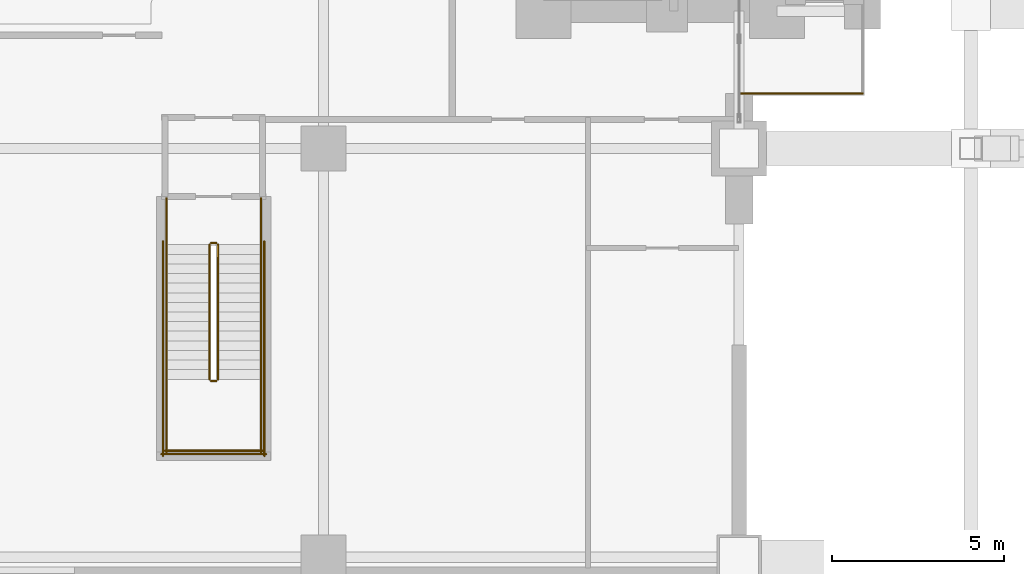
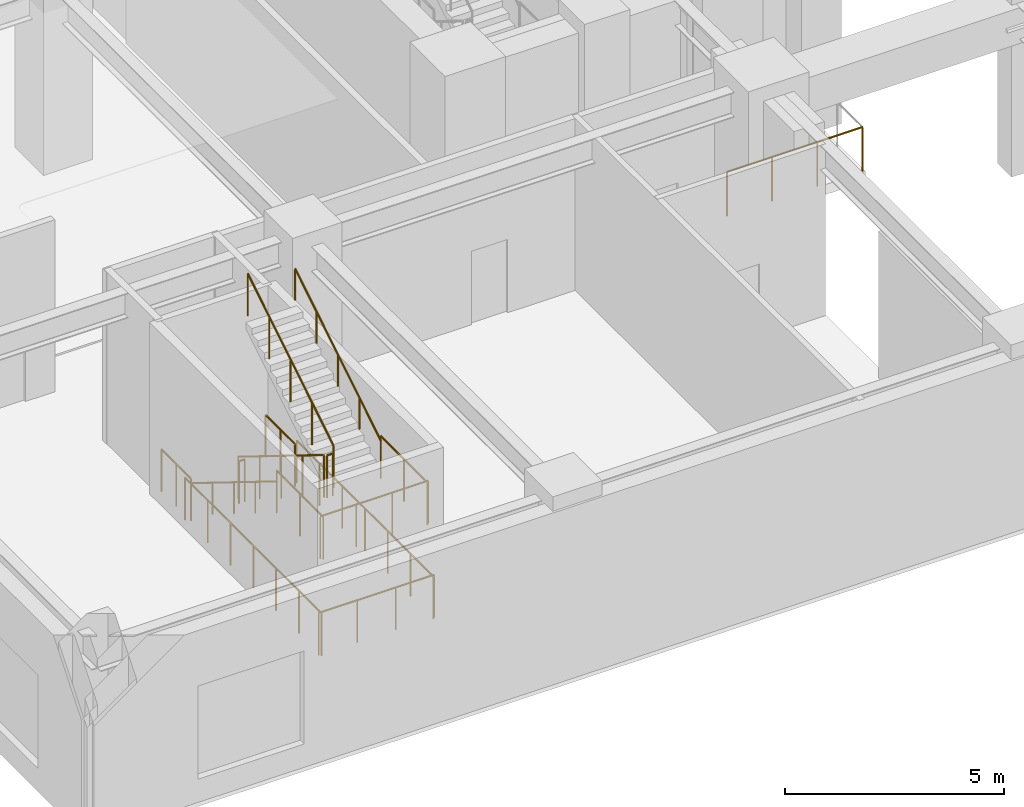
# One storey, part 22 of 26: 15 railings.
"""IFC4 building model written with IfcOpenShell, lengths in metres."""

import ifcopenshell
import ifcopenshell.guid

model = None  # the IFC model being written
_history = None  # IfcOwnerHistory: only IFC2X3 demands one
_inside = {}  # id of a spatial element -> (the spatial element, [elements in it])
_under = {}  # id of a project, library or spatial element -> (it, [spatial elements below it])
_declared = {}  # id of a project -> (the project, [libraries it declares])
_typed = {}  # id of a type object -> (the type object, [elements of that type])
_made_of = {}  # id of a material, layer set ... -> (it, [elements and type objects made of it])


def new_model(schema):
    """Start an empty IFC model of exactly this schema.

    Asked for "IFC4X3", IfcOpenShell would pick the latest addendum, in which some entities
    have other attributes; the version numbers below select the first issue.
    IFC2X3 requires an IfcOwnerHistory on every rooted entity: one is made here for all.
    """
    global model, _history
    if schema == "IFC4X3":
        model = ifcopenshell.file(schema_version=(4, 3, 0, 0))
    else:
        model = ifcopenshell.file(schema=schema)
    _inside.clear()
    _under.clear()
    _declared.clear()
    _typed.clear()
    _made_of.clear()
    _history = None
    if model.schema == "IFC2X3":
        org = make("IfcOrganization", Name="unknown")
        user = make(
            "IfcPersonAndOrganization",
            ThePerson=make("IfcPerson", FamilyName="unknown"),
            TheOrganization=org,
        )
        app = make(
            "IfcApplication",
            ApplicationDeveloper=org,
            Version="unknown",
            ApplicationFullName="unknown",
            ApplicationIdentifier="unknown",
        )
        _history = make(
            "IfcOwnerHistory",
            OwningUser=user,
            OwningApplication=app,
            ChangeAction="ADDED",
            CreationDate=0,
        )
    return model


def make(cls, **values):
    """One entity of the class cls with the attributes given. An attribute that is None is left unset."""
    return model.create_entity(
        cls, **{name: value for name, value in values.items() if value is not None}
    )


def rooted(cls, **values):
    """An entity with a GlobalId (a new one), such as an element, a storey or a relation."""
    return make(cls, GlobalId=ifcopenshell.guid.new(), OwnerHistory=_history, **values)


def si_unit(unit_type, name, prefix=None):
    """IfcSIUnit, for example si_unit("LENGTHUNIT", "METRE", prefix="MILLI")."""
    return make("IfcSIUnit", UnitType=unit_type, Prefix=prefix, Name=name)


def assignment(units):
    """IfcUnitAssignment: the units of a project."""
    return None if units is None else make("IfcUnitAssignment", Units=units)


def point(xyz):
    """IfcCartesianPoint."""
    return None if xyz is None else make("IfcCartesianPoint", Coordinates=xyz)


def direction(xyz):
    """IfcDirection."""
    return None if xyz is None else make("IfcDirection", DirectionRatios=xyz)


def frame(location, z_axis=None, x_axis=None):
    """IfcAxis2Placement3D, a coordinate frame: its origin and axes. An axis left out is left unset."""
    return make(
        "IfcAxis2Placement3D",
        Location=point(location),
        Axis=direction(z_axis),
        RefDirection=direction(x_axis),
    )


def frame_2d(location, x_axis=None):
    """IfcAxis2Placement2D, a coordinate frame in the plane: its origin and x axis."""
    return make(
        "IfcAxis2Placement2D", Location=point(location), RefDirection=direction(x_axis)
    )


def origin():
    """The frame at (0, 0, 0) with its axes left unset."""
    return frame((0.0, 0.0, 0.0))


def origin_2d():
    """The frame at (0, 0) in the plane with its x axis left unset."""
    return frame_2d((0.0, 0.0))


def place(relative_to, where):
    """IfcLocalPlacement: puts the frame where relative to a parent placement (None: the world)."""
    return make(
        "IfcLocalPlacement", PlacementRelTo=relative_to, RelativePlacement=where
    )


def context(
    kind, dimensions, precision=None, world=None, true_north=None, identifier=None
):
    """IfcGeometricRepresentationContext, for example the 3D "Model" context."""
    return make(
        "IfcGeometricRepresentationContext",
        ContextIdentifier=identifier,
        ContextType=kind,
        CoordinateSpaceDimension=dimensions,
        Precision=precision,
        WorldCoordinateSystem=world,
        TrueNorth=true_north,
    )


def subcontext(parent, identifier, kind, view, scale=None):
    """IfcGeometricRepresentationSubContext, for example "Body" below "Model"."""
    return make(
        "IfcGeometricRepresentationSubContext",
        ContextIdentifier=identifier,
        ContextType=kind,
        ParentContext=parent,
        TargetScale=scale,
        TargetView=view,
    )


def project(units=None, contexts=None):
    """IfcProject with its units and contexts."""
    return rooted(
        "IfcProject",
        Name="project",
        RepresentationContexts=contexts,
        UnitsInContext=assignment(units),
    )


def spatial(cls, under=None, at=None, **own):
    """A site, building, storey or space (cls), placed at a placement, below another one or the project."""
    s = rooted(cls, ObjectPlacement=at, **own)
    if under is not None:
        _under.setdefault(under.id(), (under, []))[1].append(s)
    return s


def profile(cls, at=None, kind="AREA", **sizes):
    """A parametric profile (cls). Its sizes go by their IFC names, for example OverallWidth=200.0."""
    return make(cls, ProfileType=kind, Position=at, **sizes)


def circle(**sizes):
    """IfcCircleProfileDef."""
    return profile("IfcCircleProfileDef", **sizes)


def extrude(swept, where, along, depth):
    """IfcExtrudedAreaSolid: the profile swept, set in the frame where, extruded along a direction by depth."""
    return make(
        "IfcExtrudedAreaSolid",
        SweptArea=swept,
        Position=where,
        ExtrudedDirection=direction(along),
        Depth=depth,
    )


def shape(context_of_items, identifier, shape_type, items):
    """IfcShapeRepresentation: the items that make up one representation, for example the "Body"."""
    return make(
        "IfcShapeRepresentation",
        ContextOfItems=context_of_items,
        RepresentationIdentifier=identifier,
        RepresentationType=shape_type,
        Items=items,
    )


def material(Name=None, Category=None):
    """IfcMaterial."""
    return make("IfcMaterial", Name=Name, Category=Category)


def made_of(thing, what):
    """Note that an element or type object is made of a material, layer set ...; save() writes the relation."""
    if what is not None:
        _made_of.setdefault(what.id(), (what, []))[1].append(thing)
    return thing


def type_object(cls, material=None, **own):
    """A type object (cls), such as IfcWallType, which elements share."""
    return made_of(rooted(cls, **own), material)


def element(
    cls,
    number,
    at=None,
    inside=None,
    cuts=None,
    type_object=None,
    material=None,
    context=None,
    identifier="Body",
    shape_type=None,
    held_by="IfcProductDefinitionShape",
    body=None,
    shapes=None,
    **own,
):
    """One element of the class cls, such as IfcWall. Its Tag is "e" and its number.

    at: its placement. inside: the storey or other place that contains it. cuts: it is an
    opening in that element (IfcRelVoidsElement). A single representation is given by context,
    identifier, shape_type and body (its items); several are given by shapes. held_by: the class
    of the entity that holds the representations. save() writes the other relations.
    """
    e = rooted(cls, Tag="e%d" % number, ObjectPlacement=at, **own)
    if body is not None:
        shapes = [shape(context, identifier, shape_type, body)]
    if shapes is not None:
        e.Representation = make(held_by, Representations=shapes)
    if inside is not None:
        _inside.setdefault(inside.id(), (inside, []))[1].append(e)
    if cuts is not None:
        rooted(
            "IfcRelVoidsElement", RelatingBuildingElement=cuts, RelatedOpeningElement=e
        )
    if type_object is not None:
        _typed.setdefault(type_object.id(), (type_object, []))[1].append(e)
    return made_of(e, material)


def aggregate(whole, parts):
    """IfcRelAggregates: a whole, such as a stair, and the parts it consists of."""
    return rooted("IfcRelAggregates", RelatingObject=whole, RelatedObjects=parts)


def save(model, path):
    """Write the relations noted so far, then the file.

    IfcRelAggregates (storeys below a building ...), IfcRelContainedInSpatialStructure (elements
    in a storey), IfcRelDefinesByType, IfcRelAssociatesMaterial and IfcRelDeclares: one each for
    every whole, place, type object, material and project.
    """
    for whole, parts in _under.values():
        aggregate(whole, parts)
    for where, things in _inside.values():
        rooted(
            "IfcRelContainedInSpatialStructure",
            RelatedElements=things,
            RelatingStructure=where,
        )
    for kind, things in _typed.values():
        rooted("IfcRelDefinesByType", RelatedObjects=things, RelatingType=kind)
    for what, things in _made_of.values():
        rooted("IfcRelAssociatesMaterial", RelatedObjects=things, RelatingMaterial=what)
    for by, libraries in _declared.values():
        rooted("IfcRelDeclares", RelatingContext=by, RelatedDefinitions=libraries)
    model.write(path)


model = new_model("IFC4")

# Units and contexts
model_context = context("Model", 3, precision=1e-05, world=origin(), true_north=direction((0.0, 1.0)))
body_context = subcontext(model_context, "Body", "Model", "MODEL_VIEW")
ifc_project = project(units=[si_unit("LENGTHUNIT", "METRE"), si_unit("AREAUNIT", "SQUARE_METRE"), si_unit("VOLUMEUNIT", "CUBIC_METRE"), si_unit("PLANEANGLEUNIT", "RADIAN"), si_unit("MASSUNIT", "GRAM", prefix="KILO")], contexts=[model_context])

# Site, building, storey
site_placement = place(None, origin())
site = spatial("IfcSite", under=ifc_project, at=site_placement, CompositionType="ELEMENT")
building_placement = place(site_placement, origin())
building = spatial("IfcBuilding", under=site, at=building_placement, Name="Voryun Gate Residences", CompositionType="ELEMENT")
storey_placement = place(building_placement, frame((0.0, 0.0, 15.60009765625)))
storey = spatial("IfcBuildingStorey", under=building, at=storey_placement, Name="L03", CompositionType="ELEMENT", Elevation=15.60009765625)

# Railings
ifc_material_1 = material(Name="Painted steel", Category="steel")
railing_type_1 = type_object("IfcRailingType", Name="RAIL_STAIR_GUARD_1200", PredefinedType="GUARDRAIL", material=ifc_material_1)
railing_1_placement = place(storey_placement, frame((-28.925048828125, -14.199951171875, 0.17333984375)))
element("IfcRailing", 1, at=railing_1_placement, inside=storey, type_object=railing_type_1, Name="L03 ST-P1 stair guard 1", PredefinedType="GUARDRAIL", context=body_context, shape_type="SweptSolid", body=[
    extrude(circle(Radius=0.02392578125, at=origin_2d()), frame((0.0, 0.0, 1.17578125), z_axis=(0.0, -0.850289973577, 0.526314507528), x_axis=(1.0, 0.0, 0.0)), (0.0, 0.0, 1.0), 4.6103515625),
    extrude(circle(Radius=0.02099609375, at=origin_2d()), origin(), (0.0, 0.0, 1.0), 1.15185546875),
    extrude(circle(Radius=0.02099609375, at=origin_2d()), frame((0.0, -0.97998046875, 0.606689453125)), (0.0, 0.0, 1.0), 1.15185546875),
    extrude(circle(Radius=0.02099609375, at=origin_2d()), frame((0.0, -1.9599609375, 1.21337890625)), (0.0, 0.0, 1.0), 1.15185546875),
    extrude(circle(Radius=0.02099609375, at=origin_2d()), frame((0.0, -2.940185546875, 1.81982421875)), (0.0, 0.0, 1.0), 1.15185546875),
    extrude(circle(Radius=0.02099609375, at=origin_2d()), frame((0.0, -3.920166015625, 2.426513671875)), (0.0, 0.0, 1.0), 1.15185546875),
])
railing_2_placement = place(storey_placement, frame((-28.875, -18.169921875, 2.599853515625)))
element("IfcRailing", 2, at=railing_2_placement, inside=storey, type_object=railing_type_1, Name="L03 ST-P1 stair guard 2", PredefinedType="GUARDRAIL", context=body_context, shape_type="SweptSolid", body=[
    extrude(circle(Radius=0.02392578125, at=origin_2d()), frame((0.0, 0.0, 1.17578125), z_axis=(1.0, 0.0, 0.0), x_axis=(0.0, 1.0, 0.0)), (0.0, 0.0, 1.0), 0.14990234375),
    extrude(circle(Radius=0.02099609375, at=origin_2d()), origin(), (0.0, 0.0, 1.0), 1.15185546875),
    extrude(circle(Radius=0.02099609375, at=origin_2d()), frame((0.14990234375, 0.0, 0.0)), (0.0, 0.0, 1.0), 1.15185546875),
])
for number, where, name in (
    (3, (-30.175048828125, -18.1201171875, 2.599853515625), "L03 ST-P1 stair guard 3"),
    (4, (-27.425048828125, -18.1201171875, 2.599853515625), "L03 ST-P1 stair guard 4"),
):
    element("IfcRailing", number, at=place(storey_placement, frame(where)), inside=storey, type_object=railing_type_1, Name=name, PredefinedType="GUARDRAIL", context=body_context, shape_type="SweptSolid", body=[
        extrude(circle(Radius=0.02392578125, at=origin_2d()), frame((0.0, 0.0, 1.17578125), z_axis=(0.0, -1.0, 0.0), x_axis=(1.0, 0.0, 0.0)), (0.0, 0.0, 1.0), 2.1298828125),
        extrude(circle(Radius=0.02099609375, at=origin_2d()), origin(), (0.0, 0.0, 1.0), 1.15185546875),
        extrude(circle(Radius=0.02099609375, at=origin_2d()), frame((0.0, -1.06494140625, 0.0)), (0.0, 0.0, 1.0), 1.15185546875),
        extrude(circle(Radius=0.02099609375, at=origin_2d()), frame((0.0, -2.1298828125, 0.0)), (0.0, 0.0, 1.0), 1.15185546875),
    ])
railing_3_placement = place(storey_placement, frame((-30.22509765625, -20.199951171875, 2.599853515625)))
element("IfcRailing", 5, at=railing_3_placement, inside=storey, type_object=railing_type_1, Name="L03 ST-P1 stair guard 5", PredefinedType="GUARDRAIL", context=body_context, shape_type="SweptSolid", body=[
    extrude(circle(Radius=0.02392578125, at=origin_2d()), frame((0.0, 0.0, 1.17578125), z_axis=(1.0, 0.0, 0.0), x_axis=(0.0, 1.0, 0.0)), (0.0, 0.0, 1.0), 2.85009765625),
    extrude(circle(Radius=0.02099609375, at=origin_2d()), origin(), (0.0, 0.0, 1.0), 1.15185546875),
    extrude(circle(Radius=0.02099609375, at=origin_2d()), frame((0.949951171875, 0.0, 0.0)), (0.0, 0.0, 1.0), 1.15185546875),
    extrude(circle(Radius=0.02099609375, at=origin_2d()), frame((1.900146484375, 0.0, 0.0)), (0.0, 0.0, 1.0), 1.15185546875),
    extrude(circle(Radius=0.02099609375, at=origin_2d()), frame((2.85009765625, 0.0, 0.0)), (0.0, 0.0, 1.0), 1.15185546875),
])
railing_4_placement = place(storey_placement, frame((-28.675048828125, -18.1201171875, 2.773193359375)))
element("IfcRailing", 6, at=railing_4_placement, inside=storey, type_object=railing_type_1, Name="L03 ST-P1 stair guard 6", PredefinedType="GUARDRAIL", context=body_context, shape_type="SweptSolid", body=[
    extrude(circle(Radius=0.02392578125, at=origin_2d()), frame((0.0, 0.0, 1.17578125), z_axis=(0.0, 0.850266275192, 0.526352791643), x_axis=(-1.0, 0.0, 0.0)), (0.0, 0.0, 1.0), 4.610595703125),
    extrude(circle(Radius=0.02099609375, at=origin_2d()), origin(), (0.0, 0.0, 1.0), 1.15185546875),
    extrude(circle(Radius=0.02099609375, at=origin_2d()), frame((0.0, 0.97998046875, 0.606689453125)), (0.0, 0.0, 1.0), 1.15185546875),
    extrude(circle(Radius=0.02099609375, at=origin_2d()), frame((0.0, 1.9599609375, 1.21337890625)), (0.0, 0.0, 1.0), 1.15185546875),
    extrude(circle(Radius=0.02099609375, at=origin_2d()), frame((0.0, 2.940185546875, 1.820068359375)), (0.0, 0.0, 1.0), 1.15185546875),
    extrude(circle(Radius=0.02099609375, at=origin_2d()), frame((0.0, 3.920166015625, 2.4267578125)), (0.0, 0.0, 1.0), 1.15185546875),
])
railing_5_placement = place(storey_placement, frame((-28.875, -14.14990234375, 0.0)))
element("IfcRailing", 7, at=railing_5_placement, inside=storey, type_object=railing_type_1, Name="L03 ST-P1 stair guard 7", PredefinedType="GUARDRAIL", context=body_context, shape_type="SweptSolid", body=[
    extrude(circle(Radius=0.02392578125, at=origin_2d()), frame((0.0, 0.0, 1.17578125), z_axis=(1.0, 0.0, 0.0), x_axis=(0.0, 1.0, 0.0)), (0.0, 0.0, 1.0), 0.14990234375),
    extrude(circle(Radius=0.02099609375, at=origin_2d()), origin(), (0.0, 0.0, 1.0), 1.15185546875),
    extrude(circle(Radius=0.02099609375, at=origin_2d()), frame((0.14990234375, 0.0, 0.0)), (0.0, 0.0, 1.0), 1.15185546875),
])
for number, where, name in (
    (8, (-30.175048828125, -12.85009765625, 0.0), "L03 ST-P1 stair guard 8"),
    (9, (-27.425048828125, -12.85009765625, 0.0), "L03 ST-P1 stair guard 9"),
):
    element("IfcRailing", number, at=place(storey_placement, frame(where)), inside=storey, type_object=railing_type_1, Name=name, PredefinedType="GUARDRAIL", context=body_context, shape_type="SweptSolid", body=[
        extrude(circle(Radius=0.02392578125, at=origin_2d()), frame((0.0, 0.0, 1.17578125), z_axis=(0.0, -1.0, 0.0), x_axis=(1.0, 0.0, 0.0)), (0.0, 0.0, 1.0), 1.349853515625),
        extrude(circle(Radius=0.02099609375, at=origin_2d()), origin(), (0.0, 0.0, 1.0), 1.15185546875),
        extrude(circle(Radius=0.02099609375, at=origin_2d()), frame((0.0, -0.6748046875, 0.0)), (0.0, 0.0, 1.0), 1.15185546875),
        extrude(circle(Radius=0.02099609375, at=origin_2d()), frame((0.0, -1.349853515625, 0.0)), (0.0, 0.0, 1.0), 1.15185546875),
    ])
for number, where, name in (
    (10, (-30.27490234375, -14.10009765625, 0.0), "L03 ST-P1 stair guard 10"),
    (11, (-27.324951171875, -14.10009765625, 0.0), "L03 ST-P1 stair guard 11"),
):
    element("IfcRailing", number, at=place(storey_placement, frame(where)), inside=storey, type_object=railing_type_1, Name=name, PredefinedType="GUARDRAIL", context=body_context, shape_type="SweptSolid", body=[
        extrude(circle(Radius=0.02392578125, at=origin_2d()), frame((0.0, 0.0, 1.17578125), z_axis=(0.0, -1.0, 0.0), x_axis=(1.0, 0.0, 0.0)), (0.0, 0.0, 1.0), 6.25),
        extrude(circle(Radius=0.02099609375, at=origin_2d()), origin(), (0.0, 0.0, 1.0), 1.15185546875),
        extrude(circle(Radius=0.02099609375, at=origin_2d()), frame((0.0, -1.041748046875, 0.0)), (0.0, 0.0, 1.0), 1.15185546875),
        extrude(circle(Radius=0.02099609375, at=origin_2d()), frame((0.0, -2.083251953125, 0.0)), (0.0, 0.0, 1.0), 1.15185546875),
        extrude(circle(Radius=0.02099609375, at=origin_2d()), frame((0.0, -3.125, 0.0)), (0.0, 0.0, 1.0), 1.15185546875),
        extrude(circle(Radius=0.02099609375, at=origin_2d()), frame((0.0, -4.166748046875, 0.0)), (0.0, 0.0, 1.0), 1.15185546875),
        extrude(circle(Radius=0.02099609375, at=origin_2d()), frame((0.0, -5.208251953125, 0.0)), (0.0, 0.0, 1.0), 1.15185546875),
        extrude(circle(Radius=0.02099609375, at=origin_2d()), frame((0.0, -6.25, 0.0)), (0.0, 0.0, 1.0), 1.15185546875),
    ])
railing_6_placement = place(storey_placement, frame((-30.324951171875, -20.300048828125, 0.0)))
element("IfcRailing", 12, at=railing_6_placement, inside=storey, type_object=railing_type_1, Name="L03 ST-P1 stair guard 12", PredefinedType="GUARDRAIL", context=body_context, shape_type="SweptSolid", body=[
    extrude(circle(Radius=0.02392578125, at=origin_2d()), frame((0.0, 0.0, 1.17578125), z_axis=(1.0, 0.0, 0.0), x_axis=(0.0, 1.0, 0.0)), (0.0, 0.0, 1.0), 3.050048828125),
    extrude(circle(Radius=0.02099609375, at=origin_2d()), origin(), (0.0, 0.0, 1.0), 1.15185546875),
    extrude(circle(Radius=0.02099609375, at=origin_2d()), frame((1.0166015625, 0.0, 0.0)), (0.0, 0.0, 1.0), 1.15185546875),
    extrude(circle(Radius=0.02099609375, at=origin_2d()), frame((2.033447265625, 0.0, 0.0)), (0.0, 0.0, 1.0), 1.15185546875),
    extrude(circle(Radius=0.02099609375, at=origin_2d()), frame((3.050048828125, 0.0, 0.0)), (0.0, 0.0, 1.0), 1.15185546875),
])
ifc_material_2 = material(Name="Painted steel", Category="steel")
railing_type_2 = type_object("IfcRailingType", Name="RAIL_STAIR_HANDRAIL_900", PredefinedType="HANDRAIL", material=ifc_material_2)
railing_7_placement = place(storey_placement, frame((-30.175048828125, -14.199951171875, 0.17333984375)))
element("IfcRailing", 13, at=railing_7_placement, inside=storey, type_object=railing_type_2, Name="L03 ST-P1 stair handrail 1", PredefinedType="HANDRAIL", context=body_context, shape_type="SweptSolid", body=[
    extrude(circle(Radius=0.02392578125, at=origin_2d()), frame((0.0, 0.0, 0.8759765625), z_axis=(0.0, -0.850289973577, 0.526314507528), x_axis=(1.0, 0.0, 0.0)), (0.0, 0.0, 1.0), 4.6103515625),
    extrude(circle(Radius=0.02099609375, at=origin_2d()), origin(), (0.0, 0.0, 1.0), 0.851806640625),
    extrude(circle(Radius=0.02099609375, at=origin_2d()), frame((0.0, -0.97998046875, 0.606689453125)), (0.0, 0.0, 1.0), 0.851806640625),
    extrude(circle(Radius=0.02099609375, at=origin_2d()), frame((0.0, -1.9599609375, 1.21337890625)), (0.0, 0.0, 1.0), 0.851806640625),
    extrude(circle(Radius=0.02099609375, at=origin_2d()), frame((0.0, -2.940185546875, 1.81982421875)), (0.0, 0.0, 1.0), 0.851806640625),
    extrude(circle(Radius=0.02099609375, at=origin_2d()), frame((0.0, -3.920166015625, 2.426513671875)), (0.0, 0.0, 1.0), 0.851806640625),
])
railing_8_placement = place(storey_placement, frame((-27.425048828125, -18.1201171875, 2.773193359375)))
element("IfcRailing", 14, at=railing_8_placement, inside=storey, type_object=railing_type_2, Name="L03 ST-P1 stair handrail 2", PredefinedType="HANDRAIL", context=body_context, shape_type="SweptSolid", body=[
    extrude(circle(Radius=0.02392578125, at=origin_2d()), frame((0.0, 0.0, 0.8759765625), z_axis=(0.0, 0.850266275192, 0.526352791643), x_axis=(-1.0, 0.0, 0.0)), (0.0, 0.0, 1.0), 4.610595703125),
    extrude(circle(Radius=0.02099609375, at=origin_2d()), origin(), (0.0, 0.0, 1.0), 0.851806640625),
    extrude(circle(Radius=0.02099609375, at=origin_2d()), frame((0.0, 0.97998046875, 0.606689453125)), (0.0, 0.0, 1.0), 0.851806640625),
    extrude(circle(Radius=0.02099609375, at=origin_2d()), frame((0.0, 1.9599609375, 1.21337890625)), (0.0, 0.0, 1.0), 0.851806640625),
    extrude(circle(Radius=0.02099609375, at=origin_2d()), frame((0.0, 2.940185546875, 1.820068359375)), (0.0, 0.0, 1.0), 0.851806640625),
    extrude(circle(Radius=0.02099609375, at=origin_2d()), frame((0.0, 3.920166015625, 2.4267578125)), (0.0, 0.0, 1.0), 0.851806640625),
])
ifc_material_3 = material(Name="Anodised aluminium", Category="aluminium")
railing_type_3 = type_object("IfcRailingType", Name="RAIL_TERRACE_GUARD_1250", PredefinedType="GUARDRAIL", material=ifc_material_3)
railing_9_placement = place(storey_placement, frame((-13.47998046875, -9.800048828125, 0.0)))
element("IfcRailing", 15, at=railing_9_placement, inside=storey, type_object=railing_type_3, Name="Terrace guard RL-L03-ARCH-W-01", PredefinedType="GUARDRAIL", context=body_context, shape_type="SweptSolid", body=[
    extrude(circle(Radius=0.02392578125, at=origin_2d()), frame((0.0, 0.0, 1.22607421875), z_axis=(1.0, 0.0, 0.0), x_axis=(0.0, 1.0, 0.0)), (0.0, 0.0, 1.0), 3.580078125),
    extrude(circle(Radius=0.02099609375, at=origin_2d()), origin(), (0.0, 0.0, 1.0), 1.201904296875),
    extrude(circle(Radius=0.02099609375, at=origin_2d()), frame((1.193359375, 0.0, 0.0)), (0.0, 0.0, 1.0), 1.201904296875),
    extrude(circle(Radius=0.02099609375, at=origin_2d()), frame((2.38671875, 0.0, 0.0)), (0.0, 0.0, 1.0), 1.201904296875),
    extrude(circle(Radius=0.02099609375, at=origin_2d()), frame((3.580078125, 0.0, 0.0)), (0.0, 0.0, 1.0), 1.201904296875),
])

save(model, "model.ifc")
